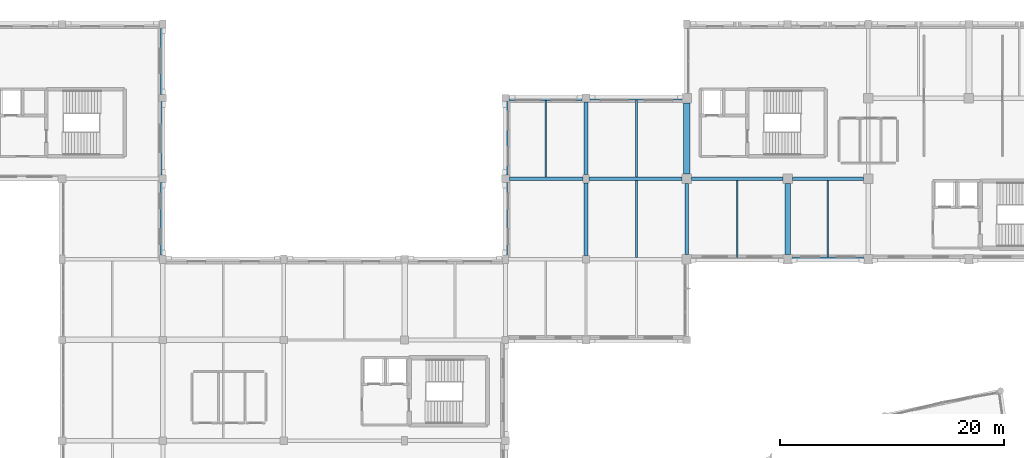
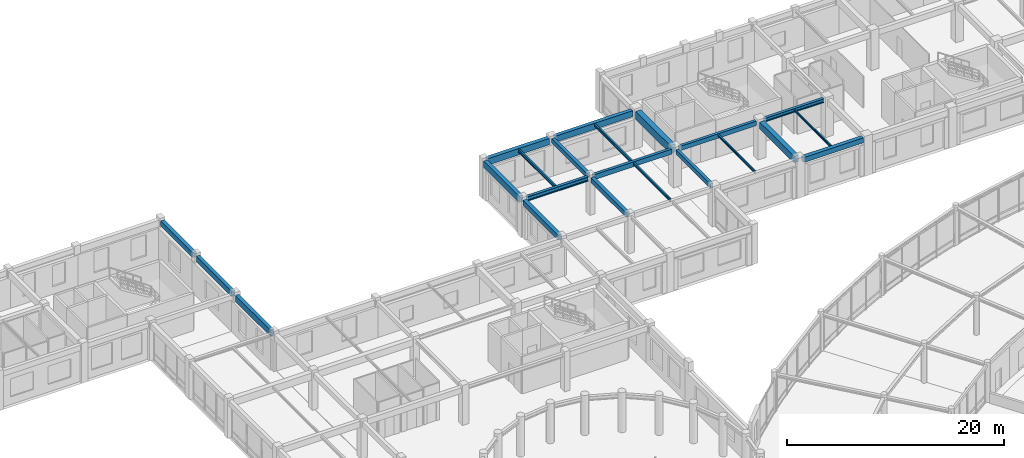
# One storey, part 21 of 62: 22 beams.
"""IFC4 building model written with IfcOpenShell, lengths in metres."""

from ifc_helpers import new_model, si_unit, direction, frame, origin, origin_2d, place, context, subcontext, project, spatial, rectangle, i_section, extrude, material, material_profile, profile_set, type_object, element, save


model = new_model("IFC4")

# Units and contexts
model_context = context("Model", 3, precision=1e-05, world=origin(), true_north=direction((0.0, 1.0)))
body_context = subcontext(model_context, "Body", "Model", "MODEL_VIEW")
ifc_project = project(units=[si_unit("LENGTHUNIT", "METRE"), si_unit("AREAUNIT", "SQUARE_METRE"), si_unit("VOLUMEUNIT", "CUBIC_METRE"), si_unit("PLANEANGLEUNIT", "RADIAN"), si_unit("MASSUNIT", "GRAM", prefix="KILO")], contexts=[model_context])

# Site, building, storey
site_placement = place(None, origin())
site = spatial("IfcSite", under=ifc_project, at=site_placement, CompositionType="ELEMENT")
building_placement = place(site_placement, origin())
building = spatial("IfcBuilding", under=site, at=building_placement, Name="Clarverna Civic Hall", CompositionType="ELEMENT")
storey_placement = place(building_placement, frame((0.0, 0.0, 5.10009765625)))
storey = spatial("IfcBuildingStorey", under=building, at=storey_placement, Name="L01", CompositionType="ELEMENT", Elevation=5.10009765625)

# Beams
ifc_material_1 = material(Name="Concrete C35/45", Category="concrete")
ifc_material_profile_1 = material_profile(ifc_material_1, rectangle(XDim=0.35009765625, YDim=0.5, at=origin_2d()), Name="RC 350x500")
ifc_profile_set_1 = profile_set([ifc_material_profile_1], Name="Concrete C35/45")
beam_type_1 = type_object("IfcBeamType", Name="B-RC10", PredefinedType="BEAM", material=ifc_profile_set_1)
beam_1_placement = place(storey_placement, frame((104.39990234375, 102.574951171875, 3.969970703125), z_axis=(0.0, 1.0, 0.0), x_axis=(-1.0, 0.0, 0.0)))
element("IfcBeam", 1, at=beam_1_placement, inside=storey, type_object=beam_type_1, Name="B-RC10-026", PredefinedType="BEAM", context=body_context, shape_type="SweptSolid", body=[
    extrude(rectangle(XDim=0.35009765625, YDim=0.5, at=origin_2d()), origin(), (0.0, 0.0, 1.0), 6.47509765625),
])
ifc_material_profile_2 = material_profile(ifc_material_1, rectangle(XDim=0.300048828125, YDim=0.550048828125, at=origin_2d()), Name="RC 300x550")
ifc_profile_set_2 = profile_set([ifc_material_profile_2], Name="Concrete C35/45")
beam_type_2 = type_object("IfcBeamType", Name="B-RC11", PredefinedType="BEAM", material=ifc_profile_set_2)
beam_2_placement = place(storey_placement, frame((104.675048828125, 102.199951171875, 3.94482421875), z_axis=(1.0, 0.0, 0.0), x_axis=(0.0, 1.0, 0.0)))
element("IfcBeam", 2, at=beam_2_placement, inside=storey, type_object=beam_type_2, Name="B-RC11-026", PredefinedType="BEAM", context=body_context, shape_type="SweptSolid", body=[
    extrude(rectangle(XDim=0.300048828125, YDim=0.550048828125, at=origin_2d()), origin(), (0.0, 0.0, 1.0), 8.300048828125),
])
ifc_material_profile_3 = material_profile(ifc_material_1, rectangle(XDim=0.300048828125, YDim=0.5, at=origin_2d()), Name="RC 300x500")
ifc_profile_set_3 = profile_set([ifc_material_profile_3], Name="Concrete C35/45")
beam_type_3 = type_object("IfcBeamType", Name="B-RC12", PredefinedType="BEAM", material=ifc_profile_set_3)
beam_3_placement = place(storey_placement, frame((113.824951171875, 102.199951171875, 3.969970703125), z_axis=(1.0, 0.0, 0.0), x_axis=(0.0, 1.0, 0.0)))
element("IfcBeam", 3, at=beam_3_placement, inside=storey, type_object=beam_type_3, Name="B-RC12-032", PredefinedType="BEAM", context=body_context, shape_type="SweptSolid", body=[
    extrude(rectangle(XDim=0.300048828125, YDim=0.5, at=origin_2d()), origin(), (0.0, 0.0, 1.0), 8.150146484375),
])
beam_4_placement = place(storey_placement, frame((113.39990234375, 95.425048828125, 3.969970703125), z_axis=(0.0, 1.0, 0.0), x_axis=(-1.0, 0.0, 0.0)))
element("IfcBeam", 4, at=beam_4_placement, inside=storey, type_object=beam_type_3, Name="B-RC12-036", PredefinedType="BEAM", context=body_context, shape_type="SweptSolid", body=[
    extrude(rectangle(XDim=0.300048828125, YDim=0.5, at=origin_2d()), origin(), (0.0, 0.0, 1.0), 6.349853515625),
])
ifc_material_profile_4 = material_profile(ifc_material_1, rectangle(XDim=0.550048828125, YDim=0.89990234375, at=origin_2d()), Name="RC 550x900")
ifc_profile_set_4 = profile_set([ifc_material_profile_4], Name="Concrete C35/45")
beam_type_4 = type_object("IfcBeamType", Name="B-RC13", PredefinedType="BEAM", material=ifc_profile_set_4)
beam_5_placement = place(storey_placement, frame((113.39990234375, 102.625, 3.77001953125), z_axis=(0.0, 1.0, 0.0), x_axis=(-1.0, 0.0, 0.0)))
element("IfcBeam", 5, at=beam_5_placement, inside=storey, type_object=beam_type_4, Name="B-RC13-025", PredefinedType="BEAM", context=body_context, shape_type="SweptSolid", body=[
    extrude(rectangle(XDim=0.550048828125, YDim=0.89990234375, at=origin_2d()), origin(), (0.0, 0.0, 1.0), 6.35009765625),
])
ifc_material_profile_5 = material_profile(ifc_material_1, rectangle(XDim=0.5, YDim=0.75, at=origin_2d()), Name="RC 500x750")
ifc_profile_set_5 = profile_set([ifc_material_profile_5], Name="Concrete C35/45")
beam_type_5 = type_object("IfcBeamType", Name="B-RC15", PredefinedType="BEAM", material=ifc_profile_set_5)
beam_6_placement = place(storey_placement, frame((122.39990234375, 95.425048828125, 3.844970703125), z_axis=(0.0, 1.0, 0.0), x_axis=(-1.0, 0.0, 0.0)))
element("IfcBeam", 6, at=beam_6_placement, inside=storey, type_object=beam_type_5, Name="B-RC15-032", PredefinedType="BEAM", context=body_context, shape_type="SweptSolid", body=[
    extrude(rectangle(XDim=0.5, YDim=0.75, at=origin_2d()), origin(), (0.0, 0.0, 1.0), 6.349853515625),
])
ifc_material_profile_6 = material_profile(ifc_material_1, rectangle(XDim=0.35009765625, YDim=0.550048828125, at=origin_2d()), Name="RC 350x550")
ifc_profile_set_6 = profile_set([ifc_material_profile_6], Name="Concrete C35/45")
beam_type_6 = type_object("IfcBeamType", Name="B-RC9", PredefinedType="BEAM", material=ifc_profile_set_6)
beam_7_placement = place(storey_placement, frame((104.39990234375, 95.324951171875, 3.94482421875), z_axis=(0.0, 1.0, 0.0), x_axis=(-1.0, 0.0, 0.0)))
element("IfcBeam", 7, at=beam_7_placement, inside=storey, type_object=beam_type_6, Name="B-RC9-031", PredefinedType="BEAM", context=body_context, shape_type="SweptSolid", body=[
    extrude(rectangle(XDim=0.35009765625, YDim=0.550048828125, at=origin_2d()), origin(), (0.0, 0.0, 1.0), 6.5),
])
ifc_material_profile_7 = material_profile(ifc_material_1, rectangle(XDim=0.419921875, YDim=0.719970703125, at=origin_2d()), Name="RC 420x720")
ifc_profile_set_7 = profile_set([ifc_material_profile_7], Name="Concrete C35/45")
beam_type_7 = type_object("IfcBeamType", Name="B-SP1", PredefinedType="SPANDREL", material=ifc_profile_set_7)
beam_8_placement = place(storey_placement, frame((97.52490234375, 109.39990234375, 3.85986328125), z_axis=(1.0, 0.0, 0.0), x_axis=(0.0, 1.0, 0.0)))
element("IfcBeam", 8, at=beam_8_placement, inside=storey, type_object=beam_type_7, Name="B-SP1-065", PredefinedType="SPANDREL", context=body_context, shape_type="SweptSolid", body=[
    extrude(rectangle(XDim=0.419921875, YDim=0.719970703125, at=origin_2d()), origin(), (0.0, 0.0, 1.0), 6.525146484375),
])
beam_9_placement = place(storey_placement, frame((97.199951171875, 102.550048828125, 3.85986328125), z_axis=(0.0, 1.0, 0.0), x_axis=(-1.0, 0.0, 0.0)))
element("IfcBeam", 9, at=beam_9_placement, inside=storey, type_object=beam_type_7, Name="B-SP1-078", PredefinedType="SPANDREL", context=body_context, shape_type="SweptSolid", body=[
    extrude(rectangle(XDim=0.419921875, YDim=0.719970703125, at=origin_2d()), origin(), (0.0, 0.0, 1.0), 6.52490234375),
])
ifc_material_profile_8 = material_profile(ifc_material_1, rectangle(XDim=0.3798828125, YDim=0.679931640625, at=origin_2d()), Name="RC 380x680")
ifc_profile_set_8 = profile_set([ifc_material_profile_8], Name="Concrete C35/45")
beam_type_8 = type_object("IfcBeamType", Name="B-SP2", PredefinedType="SPANDREL", material=ifc_profile_set_8)
beam_10_placement = place(storey_placement, frame((104.75, 109.39990234375, 3.8798828125), z_axis=(1.0, 0.0, 0.0), x_axis=(0.0, 1.0, 0.0)))
element("IfcBeam", 10, at=beam_10_placement, inside=storey, type_object=beam_type_8, Name="B-SP2-066", PredefinedType="SPANDREL", context=body_context, shape_type="SweptSolid", body=[
    extrude(rectangle(XDim=0.3798828125, YDim=0.679931640625, at=origin_2d()), origin(), (0.0, 0.0, 1.0), 8.22509765625),
])
beam_11_placement = place(storey_placement, frame((66.60009765625, 95.375, 3.83984375), z_axis=(0.0, 1.0, 0.0), x_axis=(-1.0, 0.0, 0.0)))
element("IfcBeam", 11, at=beam_11_placement, inside=storey, type_object=beam_type_8, Name="B-SP2-078", PredefinedType="SPANDREL", context=body_context, shape_type="SweptSolid", body=[
    extrude(rectangle(XDim=0.3798828125, YDim=0.679931640625, at=origin_2d()), origin(), (0.0, 0.0, 1.0), 6.47509765625),
])
ifc_material_profile_9 = material_profile(ifc_material_1, rectangle(XDim=0.360107421875, YDim=0.6201171875, at=origin_2d()), Name="RC 360x620")
ifc_profile_set_9 = profile_set([ifc_material_profile_9], Name="Concrete C35/45")
beam_type_9 = type_object("IfcBeamType", Name="B-SP3", PredefinedType="SPANDREL", material=ifc_profile_set_9)
beam_12_placement = place(storey_placement, frame((66.60009765625, 102.550048828125, 3.909912109375), z_axis=(0.0, 1.0, 0.0), x_axis=(-1.0, 0.0, 0.0)))
element("IfcBeam", 12, at=beam_12_placement, inside=storey, type_object=beam_type_9, Name="B-SP3-078", PredefinedType="SPANDREL", context=body_context, shape_type="SweptSolid", body=[
    extrude(rectangle(XDim=0.360107421875, YDim=0.6201171875, at=origin_2d()), origin(), (0.0, 0.0, 1.0), 6.52490234375),
])
ifc_material_profile_10 = material_profile(ifc_material_1, rectangle(XDim=0.39990234375, YDim=0.56005859375, at=origin_2d()), Name="RC 400x560")
ifc_profile_set_10 = profile_set([ifc_material_profile_10], Name="Concrete C35/45")
beam_type_10 = type_object("IfcBeamType", Name="B-SP4", PredefinedType="SPANDREL", material=ifc_profile_set_10)
beam_13_placement = place(storey_placement, frame((122.824951171875, 95.0, 3.93994140625), z_axis=(1.0, 0.0, 0.0), x_axis=(0.0, 1.0, 0.0)))
element("IfcBeam", 13, at=beam_13_placement, inside=storey, type_object=beam_type_10, Name="B-SP4-061", PredefinedType="SPANDREL", context=body_context, shape_type="SweptSolid", body=[
    extrude(rectangle(XDim=0.39990234375, YDim=0.56005859375, at=origin_2d()), origin(), (0.0, 0.0, 1.0), 6.35009765625),
])
beam_14_placement = place(storey_placement, frame((66.60009765625, 109.72509765625, 3.93994140625), z_axis=(0.0, 1.0, 0.0), x_axis=(-1.0, 0.0, 0.0)))
element("IfcBeam", 14, at=beam_14_placement, inside=storey, type_object=beam_type_10, Name="B-SP4-075", PredefinedType="SPANDREL", context=body_context, shape_type="SweptSolid", body=[
    extrude(rectangle(XDim=0.39990234375, YDim=0.56005859375, at=origin_2d()), origin(), (0.0, 0.0, 1.0), 5.89990234375),
])
beam_15_placement = place(storey_placement, frame((97.199951171875, 95.375, 3.89990234375), z_axis=(0.0, 1.0, 0.0), x_axis=(-1.0, 0.0, 0.0)))
element("IfcBeam", 15, at=beam_15_placement, inside=storey, type_object=beam_type_10, Name="B-SP4-077", PredefinedType="SPANDREL", context=body_context, shape_type="SweptSolid", body=[
    extrude(rectangle(XDim=0.39990234375, YDim=0.56005859375, at=origin_2d()), origin(), (0.0, 0.0, 1.0), 6.47509765625),
])
ifc_material_2 = material(Name="Steel S355", Category="steel")
ifc_material_profile_11 = material_profile(ifc_material_2, i_section(OverallWidth=0.300048828125, OverallDepth=0.5, WebThickness=0.014404296875, FlangeThickness=0.028076171875, FilletRadius=0.027099609375, at=origin_2d()), Name="HEB 500")
ifc_profile_set_11 = profile_set([ifc_material_profile_11], Name="Steel S355")
beam_type_11 = type_object("IfcBeamType", Name="B-ST2", PredefinedType="BEAM", material=ifc_profile_set_11)
beam_16_placement = place(storey_placement, frame((97.550048828125, 102.199951171875, 3.969970703125), z_axis=(1.0, 0.0, 0.0), x_axis=(0.0, 1.0, 0.0)))
element("IfcBeam", 16, at=beam_16_placement, inside=storey, type_object=beam_type_11, Name="B-ST2-003", PredefinedType="BEAM", context=body_context, shape_type="SweptSolid", body=[
    extrude(i_section(OverallWidth=0.300048828125, OverallDepth=0.5, WebThickness=0.014404296875, FlangeThickness=0.028076171875, FilletRadius=0.027099609375, at=origin_2d()), origin(), (0.0, 0.0, 1.0), 6.574951171875),
])
ifc_material_profile_12 = material_profile(ifc_material_2, i_section(OverallWidth=0.300048828125, OverallDepth=0.43994140625, WebThickness=0.011474609375, FlangeThickness=0.02099609375, FilletRadius=0.027099609375, at=origin_2d()), Name="HEA 450")
ifc_profile_set_12 = profile_set([ifc_material_profile_12], Name="Steel S355")
beam_type_12 = type_object("IfcBeamType", Name="B-ST5", PredefinedType="BEAM", material=ifc_profile_set_12)
beam_17_placement = place(storey_placement, frame((122.824951171875, 102.199951171875, 4.0), z_axis=(1.0, 0.0, 0.0), x_axis=(0.0, 1.0, 0.0)))
element("IfcBeam", 17, at=beam_17_placement, inside=storey, type_object=beam_type_12, Name="B-ST5-053", PredefinedType="BEAM", context=body_context, shape_type="SweptSolid", body=[
    extrude(i_section(OverallWidth=0.300048828125, OverallDepth=0.43994140625, WebThickness=0.011474609375, FlangeThickness=0.02099609375, FilletRadius=0.027099609375, at=origin_2d()), origin(), (0.0, 0.0, 1.0), 6.35009765625),
])
ifc_material_profile_13 = material_profile(ifc_material_2, i_section(OverallWidth=0.169921875, OverallDepth=0.360107421875, WebThickness=0.008056640625, FlangeThickness=0.0126953125, FilletRadius=0.01806640625, at=origin_2d()), Name="IPE 360")
ifc_profile_set_13 = profile_set([ifc_material_profile_13], Name="Steel S355")
beam_type_13 = type_object("IfcBeamType", Name="J-ST1", PredefinedType="JOIST", material=ifc_profile_set_13)
beam_18_placement = place(storey_placement, frame((100.800048828125, 102.35009765625, 4.039794921875), z_axis=(0.0, 1.0, 0.0), x_axis=(-1.0, 0.0, 0.0)))
element("IfcBeam", 18, at=beam_18_placement, inside=storey, type_object=beam_type_13, Name="J-ST1-046", PredefinedType="JOIST", context=body_context, shape_type="SweptSolid", body=[
    extrude(i_section(OverallWidth=0.169921875, OverallDepth=0.360107421875, WebThickness=0.008056640625, FlangeThickness=0.0126953125, FilletRadius=0.01806640625, at=origin_2d()), origin(), (0.0, 0.0, 1.0), 6.83984375),
])
ifc_material_profile_14 = material_profile(ifc_material_2, i_section(OverallWidth=0.159912109375, OverallDepth=0.330078125, WebThickness=0.007568359375, FlangeThickness=0.011474609375, FilletRadius=0.01806640625, at=origin_2d()), Name="IPE 330")
ifc_profile_set_14 = profile_set([ifc_material_profile_14], Name="Steel S355")
beam_type_14 = type_object("IfcBeamType", Name="J-ST2", PredefinedType="JOIST", material=ifc_profile_set_14)
beam_19_placement = place(storey_placement, frame((108.89990234375, 102.35009765625, 4.054931640625), z_axis=(0.0, 1.0, 0.0), x_axis=(-1.0, 0.0, 0.0)))
element("IfcBeam", 19, at=beam_19_placement, inside=storey, type_object=beam_type_14, Name="J-ST2-046", PredefinedType="JOIST", context=body_context, shape_type="SweptSolid", body=[
    extrude(i_section(OverallWidth=0.159912109375, OverallDepth=0.330078125, WebThickness=0.007568359375, FlangeThickness=0.011474609375, FilletRadius=0.01806640625, at=origin_2d()), origin(), (0.0, 0.0, 1.0), 6.85986328125),
])
ifc_material_profile_15 = material_profile(ifc_material_2, i_section(OverallWidth=0.14990234375, OverallDepth=0.300048828125, WebThickness=0.007080078125, FlangeThickness=0.0107421875, FilletRadius=0.014892578125, at=origin_2d()), Name="IPE 300")
ifc_profile_set_15 = profile_set([ifc_material_profile_15], Name="Steel S355")
beam_type_15 = type_object("IfcBeamType", Name="J-ST3", PredefinedType="JOIST", material=ifc_profile_set_15)
beam_20_placement = place(storey_placement, frame((108.89990234375, 95.14990234375, 4.06982421875), z_axis=(0.0, 1.0, 0.0), x_axis=(-1.0, 0.0, 0.0)))
element("IfcBeam", 20, at=beam_20_placement, inside=storey, type_object=beam_type_15, Name="J-ST3-044", PredefinedType="JOIST", context=body_context, shape_type="SweptSolid", body=[
    extrude(i_section(OverallWidth=0.14990234375, OverallDepth=0.300048828125, WebThickness=0.007080078125, FlangeThickness=0.0107421875, FilletRadius=0.014892578125, at=origin_2d()), origin(), (0.0, 0.0, 1.0), 6.900146484375),
])
ifc_material_profile_16 = material_profile(ifc_material_2, i_section(OverallWidth=0.135009765625, OverallDepth=0.27001953125, WebThickness=0.006591796875, FlangeThickness=0.01025390625, FilletRadius=0.014892578125, at=origin_2d()), Name="IPE 270")
ifc_profile_set_16 = profile_set([ifc_material_profile_16], Name="Steel S355")
beam_type_16 = type_object("IfcBeamType", Name="J-ST4", PredefinedType="JOIST", material=ifc_profile_set_16)
beam_21_placement = place(storey_placement, frame((117.89990234375, 95.179931640625, 4.0849609375), z_axis=(0.0, 1.0, 0.0), x_axis=(-1.0, 0.0, 0.0)))
element("IfcBeam", 21, at=beam_21_placement, inside=storey, type_object=beam_type_16, Name="J-ST4-046", PredefinedType="JOIST", context=body_context, shape_type="SweptSolid", body=[
    extrude(i_section(OverallWidth=0.135009765625, OverallDepth=0.27001953125, WebThickness=0.006591796875, FlangeThickness=0.01025390625, FilletRadius=0.014892578125, at=origin_2d()), origin(), (0.0, 0.0, 1.0), 6.8701171875),
])
ifc_material_profile_17 = material_profile(ifc_material_2, i_section(OverallWidth=0.1201171875, OverallDepth=0.239990234375, WebThickness=0.006103515625, FlangeThickness=0.009765625, FilletRadius=0.014892578125, at=origin_2d()), Name="IPE 240")
ifc_profile_set_17 = profile_set([ifc_material_profile_17], Name="Steel S355")
beam_type_17 = type_object("IfcBeamType", Name="J-ST5", PredefinedType="JOIST", material=ifc_profile_set_17)
beam_22_placement = place(storey_placement, frame((126.0, 95.199951171875, 4.099853515625), z_axis=(0.0, 1.0, 0.0), x_axis=(-1.0, 0.0, 0.0)))
element("IfcBeam", 22, at=beam_22_placement, inside=storey, type_object=beam_type_17, Name="J-ST5-044", PredefinedType="JOIST", context=body_context, shape_type="SweptSolid", body=[
    extrude(i_section(OverallWidth=0.1201171875, OverallDepth=0.239990234375, WebThickness=0.006103515625, FlangeThickness=0.009765625, FilletRadius=0.014892578125, at=origin_2d()), origin(), (0.0, 0.0, 1.0), 6.85009765625),
])

save(model, "model.ifc")
